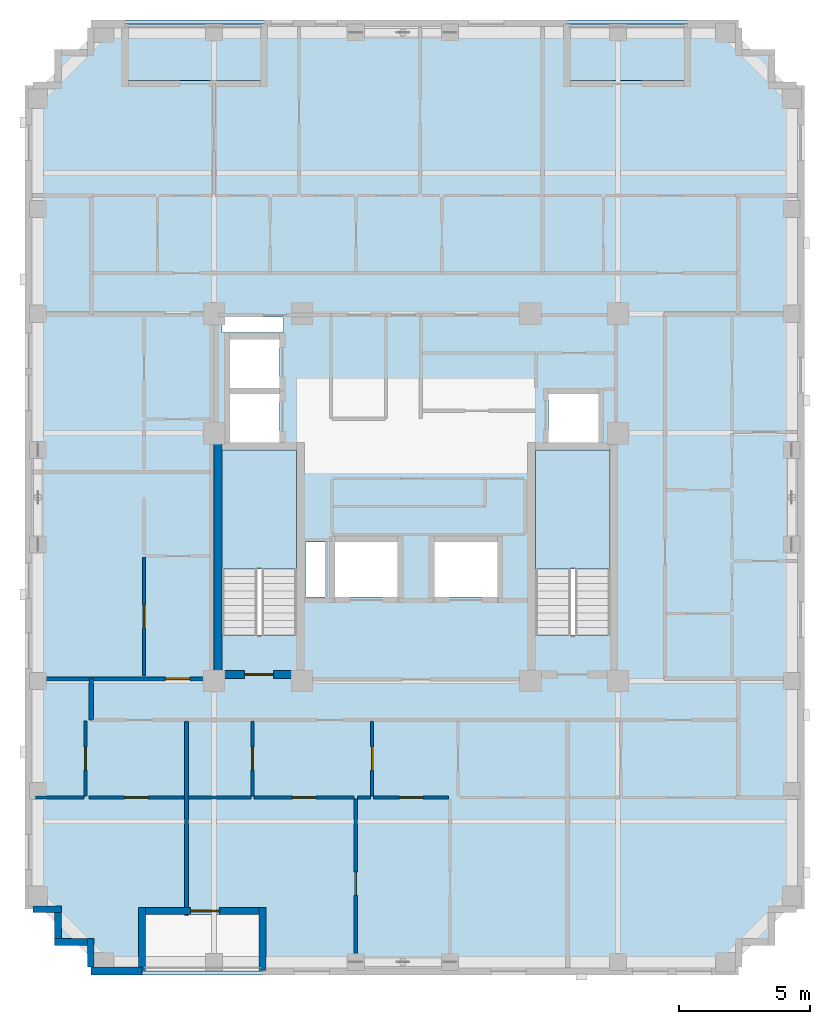
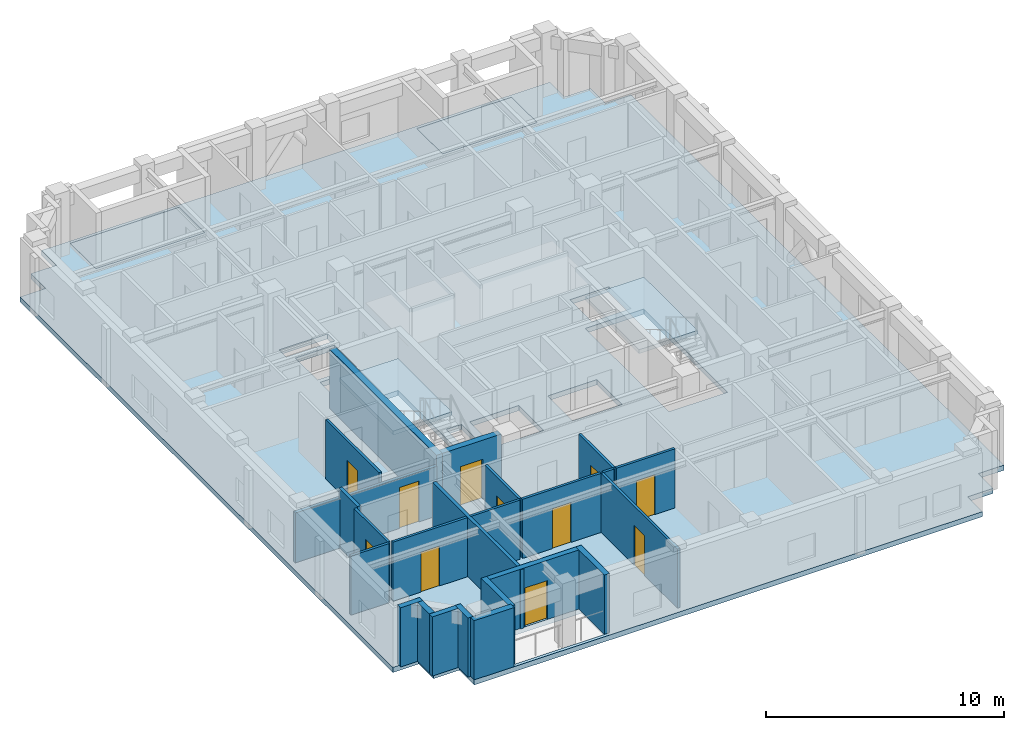
# One storey, part 2 of 10: 24 walls, 11 doors, 5 slabs, 11 openings, 2 elements without a shape of their own.
"""IFC4 building model written with IfcOpenShell, lengths in metres."""

from ifc_helpers import new_model, si_unit, derived_unit, direction, frame, frame_2d, origin, place, context, subcontext, project, spatial, polyline, rectangle, outline, extrude, material, layer, layer_set, type_object, element, fill, aggregate, save


model = new_model("IFC4")

# Units and contexts
model_context = context("Model", 3, precision=1e-05, world=origin(), true_north=direction((0.0, 1.0)))
body_context = subcontext(model_context, "Body", "Model", "MODEL_VIEW")
ifc_project = project(units=[si_unit("LENGTHUNIT", "METRE"), si_unit("AREAUNIT", "SQUARE_METRE"), si_unit("VOLUMEUNIT", "CUBIC_METRE"), si_unit("PLANEANGLEUNIT", "RADIAN"), si_unit("MASSUNIT", "GRAM", prefix="KILO"), derived_unit("THERMALTRANSMITTANCEUNIT", [(si_unit("MASSUNIT", "GRAM", prefix="KILO"), 1), (si_unit("TIMEUNIT", "SECOND"), -3), (si_unit("THERMODYNAMICTEMPERATUREUNIT", "KELVIN"), -1)])], contexts=[model_context])

# Site, building, storey
site_placement = place(None, origin())
site = spatial("IfcSite", under=ifc_project, at=site_placement, CompositionType="ELEMENT")
building_placement = place(site_placement, origin())
building = spatial("IfcBuilding", under=site, at=building_placement, Name="Korrvale Station Residences", CompositionType="ELEMENT")
storey_placement = place(building_placement, frame((0.0, 0.0, 200.800048828125)))
storey = spatial("IfcBuildingStorey", under=building, at=storey_placement, Name="L58", CompositionType="ELEMENT", Elevation=200.800048828125)

# Slabs
ifc_material_1 = material(Name="Concrete C50/60", Category="concrete")
ifc_layer_1 = layer(ifc_material_1, 0.219970703125, Name="Concrete C50/60")
ifc_layer_set_1 = layer_set([ifc_layer_1], Name="Concrete C50/60")
slab_type_1 = type_object("IfcSlabType", Name="SLB-BAL-220", PredefinedType="FLOOR", material=ifc_layer_set_1)
slab_1_placement = place(storey_placement, frame((0.0, 0.0, -0.219970703125)))
element("IfcSlab", 1, at=slab_1_placement, inside=storey, type_object=slab_type_1, Name="L58 Recessed Loggia Balcony Slab BAL-L58-N1", PredefinedType="FLOOR", context=body_context, shape_type="SweptSolid", body=[
    extrude(outline(polyline([(31.25, 37.89990234375), (35.85009765625, 37.89990234375), (35.85009765625, 40.050048828125), (31.25, 40.050048828125), (31.25, 37.89990234375)])), origin(), (0.0, 0.0, 1.0), 0.219970703125),
])
slab_2_placement = place(storey_placement, frame((0.0, 0.0, -0.219970703125)))
element("IfcSlab", 2, at=slab_2_placement, inside=storey, type_object=slab_type_1, Name="L58 Recessed Loggia Balcony Slab BAL-L58-N2", PredefinedType="FLOOR", context=body_context, shape_type="SweptSolid", body=[
    extrude(outline(polyline([(14.39990234375, 37.89990234375), (19.699951171875, 37.89990234375), (19.699951171875, 40.050048828125), (14.39990234375, 40.050048828125), (14.39990234375, 37.89990234375)])), origin(), (0.0, 0.0, 1.0), 0.219970703125),
])
ifc_layer_2 = layer(ifc_material_1, 0.260009765625, Name="Concrete C50/60")
ifc_layer_set_2 = layer_set([ifc_layer_2], Name="Concrete C50/60")
slab_type_2 = type_object("IfcSlabType", Name="SLB-FLR-260", PredefinedType="FLOOR", material=ifc_layer_set_2)
slab_3_placement = place(storey_placement, frame((0.0, 0.0, -0.260009765625)))
element("IfcSlab", 3, at=slab_3_placement, inside=storey, type_object=slab_type_2, Name="L58 Suspended Structural Floor Slab", PredefinedType="FLOOR", context=body_context, shape_type="SweptSolid", body=[
    extrude(outline(polyline([(13.10009765625, 3.800048828125), (37.800048828125, 3.800048828125), (37.800048828125, 5.050048828125), (39.050048828125, 5.050048828125), (39.050048828125, 6.300048828125), (40.300048828125, 6.300048828125), (40.300048828125, 37.699951171875), (39.050048828125, 37.699951171875), (39.050048828125, 38.949951171875), (37.800048828125, 38.949951171875), (37.800048828125, 40.199951171875), (13.10009765625, 40.199951171875), (13.10009765625, 38.949951171875), (11.85009765625, 38.949951171875), (11.85009765625, 37.699951171875), (10.60009765625, 37.699951171875), (10.60009765625, 6.300048828125), (11.85009765625, 6.300048828125), (11.85009765625, 5.050048828125), (13.10009765625, 5.050048828125), (13.10009765625, 3.800048828125)]), holes=[polyline([(20.949951171875, 16.751953125), (20.949951171875, 23.800048828125), (18.10009765625, 23.800048828125), (18.10009765625, 16.751953125), (20.949951171875, 16.751953125)]), polyline([(32.89990234375, 16.751953125), (32.89990234375, 23.800048828125), (30.050048828125, 23.800048828125), (30.050048828125, 16.751953125), (32.89990234375, 16.751953125)]), polyline([(18.39990234375, 24.10009765625), (20.300048828125, 24.10009765625), (20.300048828125, 25.949951171875), (18.39990234375, 25.949951171875), (18.39990234375, 24.10009765625)]), polyline([(18.39990234375, 26.169921875), (20.300048828125, 26.169921875), (20.300048828125, 28.02001953125), (18.39990234375, 28.02001953125), (18.39990234375, 26.169921875)]), polyline([(30.550048828125, 24.10009765625), (32.449951171875, 24.10009765625), (32.449951171875, 25.949951171875), (30.550048828125, 25.949951171875), (30.550048828125, 24.10009765625)]), polyline([(22.39990234375, 18.199951171875), (24.800048828125, 18.199951171875), (24.800048828125, 20.300048828125), (22.39990234375, 20.300048828125), (22.39990234375, 18.199951171875)]), polyline([(26.199951171875, 18.199951171875), (28.60009765625, 18.199951171875), (28.60009765625, 20.300048828125), (26.199951171875, 20.300048828125), (26.199951171875, 18.199951171875)]), polyline([(18.10009765625, 28.280029296875), (20.449951171875, 28.280029296875), (20.449951171875, 28.8798828125), (18.10009765625, 28.8798828125), (18.10009765625, 28.280029296875)]), polyline([(21.280029296875, 18.199951171875), (22.02001953125, 18.199951171875), (22.02001953125, 20.300048828125), (21.280029296875, 20.300048828125), (21.280029296875, 18.199951171875)]), polyline([(15.050048828125, 3.949951171875), (19.64990234375, 3.949951171875), (19.64990234375, 6.10009765625), (15.050048828125, 6.10009765625), (15.050048828125, 3.949951171875)]), polyline([(31.25, 37.89990234375), (35.85009765625, 37.89990234375), (35.85009765625, 40.050048828125), (31.25, 40.050048828125), (31.25, 37.89990234375)]), polyline([(14.39990234375, 37.89990234375), (19.699951171875, 37.89990234375), (19.699951171875, 40.050048828125), (14.39990234375, 40.050048828125), (14.39990234375, 37.89990234375)])]), origin(), (0.0, 0.0, 1.0), 0.260009765625),
])

# Stair, slab
stair_type = type_object("IfcStairType", Name="STR-DL-1350-20R-1650", PredefinedType="HALF_TURN_STAIR", material=ifc_material_1)
stair_1_placement = place(storey_placement, origin())
stair_1 = element("IfcStair", 4, at=stair_1_placement, inside=storey, type_object=stair_type, Name="L58 Exit Stair 1", PredefinedType="HALF_TURN_STAIR")
ifc_layer_3 = layer(ifc_material_1, 0.199951171875, Name="Concrete C50/60")
ifc_layer_set_3 = layer_set([ifc_layer_3], Name="Concrete C50/60")
slab_type_3 = type_object("IfcSlabType", Name="SLB-LND-200", PredefinedType="LANDING", material=ifc_layer_set_3)
slab_4_placement = place(storey_placement, frame((0.0, 0.0, 1.449951171875)))
slab_4 = element("IfcSlab", 5, at=slab_4_placement, type_object=slab_type_3, Name="ST-1 landing 1", PredefinedType="LANDING", context=body_context, shape_type="SweptSolid", body=[
    extrude(outline(polyline([(20.949951171875, 19.27001953125), (20.949951171875, 23.800048828125), (18.10009765625, 23.800048828125), (18.10009765625, 19.27001953125), (20.949951171875, 19.27001953125)])), origin(), (0.0, 0.0, 1.0), 0.199951171875),
])
aggregate(stair_1, [slab_4])

stair_2_placement = place(storey_placement, origin())
stair_2 = element("IfcStair", 6, at=stair_2_placement, inside=storey, type_object=stair_type, Name="L58 Exit Stair 2", PredefinedType="HALF_TURN_STAIR")
slab_5_placement = place(storey_placement, frame((0.0, 0.0, 1.449951171875)))
slab_5 = element("IfcSlab", 7, at=slab_5_placement, type_object=slab_type_3, Name="ST-2 landing 1", PredefinedType="LANDING", context=body_context, shape_type="SweptSolid", body=[
    extrude(outline(polyline([(32.89990234375, 19.27001953125), (32.89990234375, 23.800048828125), (30.050048828125, 23.800048828125), (30.050048828125, 19.27001953125), (32.89990234375, 19.27001953125)])), origin(), (0.0, 0.0, 1.0), 0.199951171875),
])
aggregate(stair_2, [slab_5])

# Wall
ifc_layer_4 = layer(ifc_material_1, 0.300048828125, Name="Concrete C50/60")
ifc_layer_set_4 = layer_set([ifc_layer_4], Name="Concrete C50/60")
wall_type_1 = type_object("IfcWallType", Name="WAL-CORE-300-C50", PredefinedType="SHEAR", material=ifc_layer_set_4)
wall_1_placement = place(storey_placement, frame((17.949951171875, 15.10009765625, 0.0), z_axis=(0.0, 0.0, 1.0), x_axis=(0.0, 1.0, 0.0)))
element("IfcWall", 8, at=wall_1_placement, inside=storey, type_object=wall_type_1, Name="L58 ST-1 Core Shear Wall West", PredefinedType="SHEAR", context=body_context, shape_type="SweptSolid", body=[
    extrude(rectangle(XDim=9.0, YDim=0.300048828125, at=frame_2d((4.5, 0.0))), origin(), (0.0, 0.0, 1.0), 3.0400390625),
])

# Wall, opening, door
wall_2_placement = place(storey_placement, frame((18.10009765625, 15.25, 0.0), z_axis=(0.0, 0.0, 1.0), x_axis=(1.0, 0.0, 0.0)))
wall_2 = element("IfcWall", 9, at=wall_2_placement, inside=storey, type_object=wall_type_1, Name="L58 ST-1 Core Shear Wall South", PredefinedType="SHEAR", context=body_context, shape_type="SweptSolid", body=[
    extrude(rectangle(XDim=2.849853515625, YDim=0.300048828125, at=frame_2d((1.4248046875, 0.0))), origin(), (0.0, 0.0, 1.0), 3.0400390625),
])
opening_1_placement = place(wall_2_placement, frame((0.860107421875, 0.0, 0.0)))
opening_1 = element("IfcOpeningElement", 10, at=opening_1_placement, cuts=wall_2, Name="Opening SD-1100", PredefinedType="OPENING", context=body_context, shape_type="SweptSolid", body=[
    extrude(rectangle(XDim=1.10009765625, YDim=2.050048828125, at=frame_2d((0.550048828125, 1.02490234375))), frame((0.0, 0.16015625, 0.0), z_axis=(0.0, -1.0, 0.0), x_axis=(1.0, 0.0, 0.0)), (0.0, 0.0, 1.0), 0.320068359375),
])
ifc_material_2 = material(Name="Hollow-metal fire-rated stair door with closer", Category="steel")
door_type_1 = type_object("IfcDoorType", Name="DR-STAIR-1100", OperationType="NOTDEFINED", PredefinedType="DOOR", material=ifc_material_2)
door_1_placement = place(opening_1_placement, origin())
door_1 = element("IfcDoor", 11, at=door_1_placement, inside=storey, type_object=door_type_1, Name="L58 ST-1 Exit Stair Door", OperationType="SINGLE_SWING_LEFT", OverallHeight=2.050048828125, OverallWidth=1.10009765625, PredefinedType="DOOR", context=body_context, shape_type="SweptSolid", body=[
    extrude(rectangle(XDim=1.10009765625, YDim=2.050048828125, at=frame_2d((0.550048828125, 1.02490234375))), frame((0.0, 0.02490234375, 0.0), z_axis=(0.0, -1.0, 0.0), x_axis=(1.0, 0.0, 0.0)), (0.0, 0.0, 1.0), 0.050048828125),
])
fill(opening_1, door_1)

# Wall
ifc_material_3 = material(Name="Precast concrete C45/55", Category="concrete")
ifc_layer_5 = layer(ifc_material_3, 0.260009765625, Name="Precast concrete C45/55")
ifc_layer_set_5 = layer_set([ifc_layer_5], Name="Precast concrete C45/55")
wall_type_2 = type_object("IfcWallType", Name="WAL-EXT-LOG260", PredefinedType="SOLIDWALL", material=ifc_layer_set_5)
wall_3_placement = place(storey_placement, frame((19.64990234375, 3.9599609375, 0.0), z_axis=(0.0, 0.0, 1.0), x_axis=(0.0, 1.0, 0.0)))
element("IfcWall", 12, at=wall_3_placement, inside=storey, type_object=wall_type_2, Name="L58 Recessed Loggia Wall BAL-L58-S1-L", PredefinedType="SOLIDWALL", context=body_context, shape_type="SweptSolid", body=[
    extrude(rectangle(XDim=2.400146484375, YDim=0.260009765625, at=frame_2d((1.2001953125, 0.0))), origin(), (0.0, 0.0, 1.0), 3.0400390625),
])

# Wall, opening, door
wall_4_placement = place(storey_placement, frame((19.51611328125, 6.22998046875, 0.0), z_axis=(0.0, 0.0, 1.0), x_axis=(-1.0, 0.0, 0.0)))
wall_4 = element("IfcWall", 13, at=wall_4_placement, inside=storey, type_object=wall_type_2, Name="L58 Recessed Loggia Wall BAL-L58-S1-B", PredefinedType="SOLIDWALL", context=body_context, shape_type="SweptSolid", body=[
    extrude(rectangle(XDim=4.33203125, YDim=0.260009765625, at=frame_2d((2.166015625, 0.0))), origin(), (0.0, 0.0, 1.0), 3.0400390625),
])
opening_2_placement = place(wall_4_placement, frame((1.510009765625, 0.0, 0.0)))
opening_2 = element("IfcOpeningElement", 14, at=opening_2_placement, cuts=wall_4, Name="Opening BD-01", PredefinedType="OPENING", context=body_context, shape_type="SweptSolid", body=[
    extrude(rectangle(XDim=1.10009765625, YDim=2.0, at=frame_2d((0.550048828125, 1.0))), frame((0.0, 0.14013671875, 0.0), z_axis=(0.0, -1.0, 0.0), x_axis=(1.0, 0.0, 0.0)), (0.0, 0.0, 1.0), 0.280029296875),
])
ifc_material_4 = material(Name="Exterior thermally broken aluminium glazed balcony door", Category="aluminium")
door_type_2 = type_object("IfcDoorType", Name="DR-EXT-BAL", OperationType="NOTDEFINED", PredefinedType="DOOR", material=ifc_material_4)
door_2_placement = place(opening_2_placement, origin())
door_2 = element("IfcDoor", 15, at=door_2_placement, inside=storey, type_object=door_type_2, Name="L58 Loggia Balcony Door BAL-L58-S1", OperationType="SINGLE_SWING_LEFT", OverallHeight=2.0, OverallWidth=1.10009765625, PredefinedType="DOOR", context=body_context, shape_type="SweptSolid", body=[
    extrude(rectangle(XDim=1.10009765625, YDim=2.0, at=frame_2d((0.550048828125, 1.0))), frame((0.0, 0.02490234375, 0.0), z_axis=(0.0, -1.0, 0.0), x_axis=(1.0, 0.0, 0.0)), (0.0, 0.0, 1.0), 0.050048828125),
])
fill(opening_2, door_2)

# Walls
wall_5_placement = place(storey_placement, frame((15.050048828125, 6.360107421875, 0.0), z_axis=(0.0, 0.0, 1.0), x_axis=(0.0, -1.0, 0.0)))
element("IfcWall", 16, at=wall_5_placement, inside=storey, type_object=wall_type_2, Name="L58 Recessed Loggia Wall BAL-L58-S1-R", PredefinedType="SOLIDWALL", context=body_context, shape_type="SweptSolid", body=[
    extrude(rectangle(XDim=2.400146484375, YDim=0.260009765625, at=frame_2d((1.2001953125, 0.0))), origin(), (0.0, 0.0, 1.0), 3.0400390625),
])
wall_6_placement = place(storey_placement, frame((13.10009765625, 4.10205078125, 0.0), z_axis=(0.0, 0.0, 1.0), x_axis=(0.0, 1.0, 0.0)))
element("IfcWall", 17, at=wall_6_placement, inside=storey, type_object=wall_type_2, Name="L58 Serrated Corner Precast Step SW-1", PredefinedType="SOLIDWALL", context=body_context, shape_type="SweptSolid", body=[
    extrude(rectangle(XDim=1.077880859375, YDim=0.260009765625, at=frame_2d((0.5390625, 0.0))), origin(), (0.0, 0.0, 1.0), 3.0400390625),
])
wall_7_placement = place(storey_placement, frame((12.968017578125, 5.050048828125, 0.0), z_axis=(0.0, 0.0, 1.0), x_axis=(-1.0, 0.0, 0.0)))
element("IfcWall", 18, at=wall_7_placement, inside=storey, type_object=wall_type_2, Name="L58 Serrated Corner Precast Step SW-2", PredefinedType="SOLIDWALL", context=body_context, shape_type="SweptSolid", body=[
    extrude(rectangle(XDim=1.248046875, YDim=0.260009765625, at=frame_2d((0.6240234375, 0.0))), origin(), (0.0, 0.0, 1.0), 3.0400390625),
])
wall_8_placement = place(storey_placement, frame((11.85009765625, 5.181884765625, 0.0), z_axis=(0.0, 0.0, 1.0), x_axis=(0.0, 1.0, 0.0)))
element("IfcWall", 19, at=wall_8_placement, inside=storey, type_object=wall_type_2, Name="L58 Serrated Corner Precast Step SW-3", PredefinedType="SOLIDWALL", context=body_context, shape_type="SweptSolid", body=[
    extrude(rectangle(XDim=0.986083984375, YDim=0.260009765625, at=frame_2d((0.4931640625, 0.0))), origin(), (0.0, 0.0, 1.0), 3.0400390625),
])
wall_9_placement = place(storey_placement, frame((11.97998046875, 6.300048828125, 0.0), z_axis=(0.0, 0.0, 1.0), x_axis=(-1.0, 0.0, 0.0)))
element("IfcWall", 20, at=wall_9_placement, inside=storey, type_object=wall_type_2, Name="L58 Serrated Corner Precast Step SW-4", PredefinedType="SOLIDWALL", context=body_context, shape_type="SweptSolid", body=[
    extrude(rectangle(XDim=1.077880859375, YDim=0.260009765625, at=frame_2d((0.5390625, 0.0))), origin(), (0.0, 0.0, 1.0), 3.0400390625),
])
ifc_layer_6 = layer(ifc_material_3, 0.300048828125, Name="Precast concrete C45/55")
ifc_layer_set_6 = layer_set([ifc_layer_6], Name="Precast concrete C45/55")
wall_type_3 = type_object("IfcWallType", Name="WAL-EXT-PC300", PredefinedType="SOLIDWALL", material=ifc_layer_set_6)
wall_10_placement = place(storey_placement, frame((15.050048828125, 3.949951171875, 0.0), z_axis=(0.0, 0.0, 1.0), x_axis=(-1.0, 0.0, 0.0)))
element("IfcWall", 21, at=wall_10_placement, inside=storey, type_object=wall_type_3, Name="L58 South Exterior Precast Wall 2", PredefinedType="SOLIDWALL", context=body_context, shape_type="SweptSolid", body=[
    extrude(rectangle(XDim=1.949951171875, YDim=0.300048828125, at=frame_2d((0.97509765625, 0.0))), origin(), (0.0, 0.0, 1.0), 3.0400390625),
])

# Wall, opening, door
ifc_material_5 = material(Name="Acoustic steel-stud gypsum board partition", Category="steel")
ifc_layer_7 = layer(ifc_material_5, 0.1201171875, Name="Acoustic steel-stud gypsum board partition")
ifc_layer_set_7 = layer_set([ifc_layer_7], Name="Acoustic steel-stud gypsum board partition")
wall_type_4 = type_object("IfcWallType", Name="WAL-PART-125", PredefinedType="PARTITIONING", material=ifc_layer_set_7)
wall_11_placement = place(storey_placement, frame((12.89990234375, 10.6201171875, 0.0), z_axis=(0.0, 0.0, 1.0), x_axis=(0.0, 1.0, 0.0)))
wall_11 = element("IfcWall", 22, at=wall_11_placement, inside=storey, type_object=wall_type_4, Name="L58 Suite Partition U01-V01", PredefinedType="PARTITIONING", context=body_context, shape_type="SweptSolid", body=[
    extrude(rectangle(XDim=2.849853515625, YDim=0.1201171875, at=frame_2d((1.4248046875, 0.0))), origin(), (0.0, 0.0, 1.0), 3.0400390625),
])
opening_3_placement = place(wall_11_placement, frame((0.9951171875, 0.0, 0.0)))
opening_3 = element("IfcOpeningElement", 23, at=opening_3_placement, cuts=wall_11, Name="Opening DB-860", PredefinedType="OPENING", context=body_context, shape_type="SweptSolid", body=[
    extrude(rectangle(XDim=0.860107421875, YDim=2.050048828125, at=frame_2d((0.43017578125, 1.02490234375))), frame((0.0, 0.070068359375, 0.0), z_axis=(0.0, -1.0, 0.0), x_axis=(1.0, 0.0, 0.0)), (0.0, 0.0, 1.0), 0.14013671875),
])
ifc_material_6 = material(Name="Moisture-resistant solid-core bathroom door", Category="timber")
door_type_3 = type_object("IfcDoorType", Name="DR-BATH-860", OperationType="NOTDEFINED", PredefinedType="DOOR", material=ifc_material_6)
door_3_placement = place(opening_3_placement, origin())
door_3 = element("IfcDoor", 24, at=door_3_placement, inside=storey, type_object=door_type_3, Name="L58 Studio Apartment L58-U01 Bathroom Door", OperationType="SINGLE_SWING_LEFT", OverallHeight=2.050048828125, OverallWidth=0.860107421875, PredefinedType="DOOR", context=body_context, shape_type="SweptSolid", body=[
    extrude(rectangle(XDim=0.860107421875, YDim=2.050048828125, at=frame_2d((0.43017578125, 1.02490234375))), frame((0.0, 0.02490234375, 0.0), z_axis=(0.0, -1.0, 0.0), x_axis=(1.0, 0.0, 0.0)), (0.0, 0.0, 1.0), 0.050048828125),
])
fill(opening_3, door_3)

# Wall
wall_12_placement = place(storey_placement, frame((10.989990234375, 10.56005859375, 0.0), z_axis=(0.0, 0.0, 1.0), x_axis=(1.0, 0.0, 0.0)))
element("IfcWall", 25, at=wall_12_placement, inside=storey, type_object=wall_type_4, Name="L58 Suite Partition U01-H02", PredefinedType="PARTITIONING", context=body_context, shape_type="SweptSolid", body=[
    extrude(rectangle(XDim=1.85009765625, YDim=0.1201171875, at=frame_2d((0.925048828125, 0.0))), origin(), (0.0, 0.0, 1.0), 3.0400390625),
])

# Wall, opening, door
wall_13_placement = place(storey_placement, frame((13.030029296875, 10.56005859375, 0.0), z_axis=(0.0, 0.0, 1.0), x_axis=(1.0, 0.0, 0.0)))
wall_13 = element("IfcWall", 26, at=wall_13_placement, inside=storey, type_object=wall_type_4, Name="L58 Suite Partition U01-H12", PredefinedType="PARTITIONING", context=body_context, shape_type="SweptSolid", body=[
    extrude(rectangle(XDim=3.615966796875, YDim=0.1201171875, at=frame_2d((1.80810546875, 0.0))), origin(), (0.0, 0.0, 1.0), 3.0400390625),
])
opening_4_placement = place(wall_13_placement, frame((1.35791015625, 0.0, 0.0)))
opening_4 = element("IfcOpeningElement", 27, at=opening_4_placement, cuts=wall_13, Name="Opening DI-900", PredefinedType="OPENING", context=body_context, shape_type="SweptSolid", body=[
    extrude(rectangle(XDim=0.89990234375, YDim=2.050048828125, at=frame_2d((0.449951171875, 1.02490234375))), frame((0.0, 0.070068359375, 0.0), z_axis=(0.0, -1.0, 0.0), x_axis=(1.0, 0.0, 0.0)), (0.0, 0.0, 1.0), 0.14013671875),
])
ifc_material_7 = material(Name="Painted solid-core timber interior room door", Category="wood")
door_type_4 = type_object("IfcDoorType", Name="DR-INT-900", OperationType="NOTDEFINED", PredefinedType="DOOR", material=ifc_material_7)
door_4_placement = place(opening_4_placement, origin())
door_4 = element("IfcDoor", 28, at=door_4_placement, inside=storey, type_object=door_type_4, Name="L58 Studio Apartment L58-U01 Kitchen Door", OperationType="SINGLE_SWING_RIGHT", OverallHeight=2.050048828125, OverallWidth=0.89990234375, PredefinedType="DOOR", context=body_context, shape_type="SweptSolid", body=[
    extrude(rectangle(XDim=0.89990234375, YDim=2.050048828125, at=frame_2d((0.449951171875, 1.02490234375))), frame((0.0, 0.02490234375, 0.0), z_axis=(0.0, -1.0, 0.0), x_axis=(1.0, 0.0, 0.0)), (0.0, 0.0, 1.0), 0.050048828125),
])
fill(opening_4, door_4)

wall_14_placement = place(storey_placement, frame((19.26611328125, 10.6201171875, 0.0), z_axis=(0.0, 0.0, 1.0), x_axis=(0.0, 1.0, 0.0)))
wall_14 = element("IfcWall", 29, at=wall_14_placement, inside=storey, type_object=wall_type_4, Name="L58 Suite Partition U02-V01", PredefinedType="PARTITIONING", context=body_context, shape_type="SweptSolid", body=[
    extrude(rectangle(XDim=2.849853515625, YDim=0.1201171875, at=frame_2d((1.4248046875, 0.0))), origin(), (0.0, 0.0, 1.0), 3.0400390625),
])
opening_5_placement = place(wall_14_placement, frame((0.9951171875, 0.0, 0.0)))
opening_5 = element("IfcOpeningElement", 30, at=opening_5_placement, cuts=wall_14, Name="Opening DB-860", PredefinedType="OPENING", context=body_context, shape_type="SweptSolid", body=[
    extrude(rectangle(XDim=0.860107421875, YDim=2.050048828125, at=frame_2d((0.43017578125, 1.02490234375))), frame((0.0, 0.070068359375, 0.0), z_axis=(0.0, -1.0, 0.0), x_axis=(1.0, 0.0, 0.0)), (0.0, 0.0, 1.0), 0.14013671875),
])
door_5_placement = place(opening_5_placement, origin())
door_5 = element("IfcDoor", 31, at=door_5_placement, inside=storey, type_object=door_type_3, Name="L58 Apartment 1BR L58-U02 Bathroom Door", OperationType="SINGLE_SWING_LEFT", OverallHeight=2.050048828125, OverallWidth=0.860107421875, PredefinedType="DOOR", context=body_context, shape_type="SweptSolid", body=[
    extrude(rectangle(XDim=0.860107421875, YDim=2.050048828125, at=frame_2d((0.43017578125, 1.02490234375))), frame((0.0, 0.02490234375, 0.0), z_axis=(0.0, -1.0, 0.0), x_axis=(1.0, 0.0, 0.0)), (0.0, 0.0, 1.0), 0.050048828125),
])
fill(opening_5, door_5)

# Wall
wall_15_placement = place(storey_placement, frame((16.805908203125, 10.56005859375, 0.0), z_axis=(0.0, 0.0, 1.0), x_axis=(1.0, 0.0, 0.0)))
element("IfcWall", 32, at=wall_15_placement, inside=storey, type_object=wall_type_4, Name="L58 Suite Partition U02-H04", PredefinedType="PARTITIONING", context=body_context, shape_type="SweptSolid", body=[
    extrude(rectangle(XDim=2.400146484375, YDim=0.1201171875, at=frame_2d((1.2001953125, 0.0))), origin(), (0.0, 0.0, 1.0), 3.0400390625),
])

# Wall, opening, door
wall_16_placement = place(storey_placement, frame((23.825927734375, 10.6201171875, 0.0), z_axis=(0.0, 0.0, 1.0), x_axis=(0.0, 1.0, 0.0)))
wall_16 = element("IfcWall", 33, at=wall_16_placement, inside=storey, type_object=wall_type_4, Name="L58 Suite Partition U02-V12", PredefinedType="PARTITIONING", context=body_context, shape_type="SweptSolid", body=[
    extrude(rectangle(XDim=2.849853515625, YDim=0.1201171875, at=frame_2d((1.4248046875, 0.0))), origin(), (0.0, 0.0, 1.0), 3.0400390625),
])
opening_6_placement = place(wall_16_placement, frame((0.97509765625, 0.0, 0.0)))
opening_6 = element("IfcOpeningElement", 34, at=opening_6_placement, cuts=wall_16, Name="Opening DI-900", PredefinedType="OPENING", context=body_context, shape_type="SweptSolid", body=[
    extrude(rectangle(XDim=0.89990234375, YDim=2.050048828125, at=frame_2d((0.449951171875, 1.02490234375))), frame((0.0, 0.070068359375, 0.0), z_axis=(0.0, -1.0, 0.0), x_axis=(1.0, 0.0, 0.0)), (0.0, 0.0, 1.0), 0.14013671875),
])
door_6_placement = place(opening_6_placement, origin())
door_6 = element("IfcDoor", 35, at=door_6_placement, inside=storey, type_object=door_type_4, Name="L58 Apartment 1BR L58-U02 Kitchen Door", OperationType="SINGLE_SWING_RIGHT", OverallHeight=2.050048828125, OverallWidth=0.89990234375, PredefinedType="DOOR", context=body_context, shape_type="SweptSolid", body=[
    extrude(rectangle(XDim=0.89990234375, YDim=2.050048828125, at=frame_2d((0.449951171875, 1.02490234375))), frame((0.0, 0.02490234375, 0.0), z_axis=(0.0, -1.0, 0.0), x_axis=(1.0, 0.0, 0.0)), (0.0, 0.0, 1.0), 0.050048828125),
])
fill(opening_6, door_6)

wall_17_placement = place(storey_placement, frame((19.325927734375, 10.56005859375, 0.0), z_axis=(0.0, 0.0, 1.0), x_axis=(1.0, 0.0, 0.0)))
wall_17 = element("IfcWall", 36, at=wall_17_placement, inside=storey, type_object=wall_type_4, Name="L58 Suite Partition U02-H14", PredefinedType="PARTITIONING", context=body_context, shape_type="SweptSolid", body=[
    extrude(rectangle(XDim=3.81396484375, YDim=0.1201171875, at=frame_2d((1.906982421875, 0.0))), origin(), (0.0, 0.0, 1.0), 3.0400390625),
])
opening_7_placement = place(wall_17_placement, frame((1.45703125, 0.0, 0.0)))
opening_7 = element("IfcOpeningElement", 37, at=opening_7_placement, cuts=wall_17, Name="Opening DI-900", PredefinedType="OPENING", context=body_context, shape_type="SweptSolid", body=[
    extrude(rectangle(XDim=0.89990234375, YDim=2.050048828125, at=frame_2d((0.449951171875, 1.02490234375))), frame((0.0, 0.070068359375, 0.0), z_axis=(0.0, -1.0, 0.0), x_axis=(1.0, 0.0, 0.0)), (0.0, 0.0, 1.0), 0.14013671875),
])
door_7_placement = place(opening_7_placement, origin())
door_7 = element("IfcDoor", 38, at=door_7_placement, inside=storey, type_object=door_type_4, Name="L58 Apartment 1BR L58-U02 Kitchen Door", OperationType="SINGLE_SWING_LEFT", OverallHeight=2.050048828125, OverallWidth=0.89990234375, PredefinedType="DOOR", context=body_context, shape_type="SweptSolid", body=[
    extrude(rectangle(XDim=0.89990234375, YDim=2.050048828125, at=frame_2d((0.449951171875, 1.02490234375))), frame((0.0, 0.02490234375, 0.0), z_axis=(0.0, -1.0, 0.0), x_axis=(1.0, 0.0, 0.0)), (0.0, 0.0, 1.0), 0.050048828125),
])
fill(opening_7, door_7)

# Wall
wall_18_placement = place(storey_placement, frame((23.260009765625, 10.56005859375, 0.0), z_axis=(0.0, 0.0, 1.0), x_axis=(1.0, 0.0, 0.0)))
element("IfcWall", 39, at=wall_18_placement, inside=storey, type_object=wall_type_4, Name="L58 Suite Partition U02-H15", PredefinedType="PARTITIONING", context=body_context, shape_type="SweptSolid", body=[
    extrude(rectangle(XDim=0.506103515625, YDim=0.1201171875, at=frame_2d((0.2529296875, 0.0))), origin(), (0.0, 0.0, 1.0), 3.0400390625),
])

# Wall, opening, door
wall_19_placement = place(storey_placement, frame((23.885986328125, 10.56005859375, 0.0), z_axis=(0.0, 0.0, 1.0), x_axis=(1.0, 0.0, 0.0)))
wall_19 = element("IfcWall", 40, at=wall_19_placement, inside=storey, type_object=wall_type_4, Name="L58 Suite Partition U02-H25", PredefinedType="PARTITIONING", context=body_context, shape_type="SweptSolid", body=[
    extrude(rectangle(XDim=2.85400390625, YDim=0.1201171875, at=frame_2d((1.427001953125, 0.0))), origin(), (0.0, 0.0, 1.0), 3.0400390625),
])
opening_8_placement = place(wall_19_placement, frame((0.97705078125, 0.0, 0.0)))
opening_8 = element("IfcOpeningElement", 41, at=opening_8_placement, cuts=wall_19, Name="Opening DI-900", PredefinedType="OPENING", context=body_context, shape_type="SweptSolid", body=[
    extrude(rectangle(XDim=0.89990234375, YDim=2.050048828125, at=frame_2d((0.449951171875, 1.02490234375))), frame((0.0, 0.070068359375, 0.0), z_axis=(0.0, -1.0, 0.0), x_axis=(1.0, 0.0, 0.0)), (0.0, 0.0, 1.0), 0.14013671875),
])
door_8_placement = place(opening_8_placement, origin())
door_8 = element("IfcDoor", 42, at=door_8_placement, inside=storey, type_object=door_type_4, Name="L58 Apartment 1BR L58-U02 Home Study Room Door", OperationType="SINGLE_SWING_LEFT", OverallHeight=2.050048828125, OverallWidth=0.89990234375, PredefinedType="DOOR", context=body_context, shape_type="SweptSolid", body=[
    extrude(rectangle(XDim=0.89990234375, YDim=2.050048828125, at=frame_2d((0.449951171875, 1.02490234375))), frame((0.0, 0.02490234375, 0.0), z_axis=(0.0, -1.0, 0.0), x_axis=(1.0, 0.0, 0.0)), (0.0, 0.0, 1.0), 0.050048828125),
])
fill(opening_8, door_8)

wall_20_placement = place(storey_placement, frame((23.199951171875, 4.080078125, 0.0), z_axis=(0.0, 0.0, 1.0), x_axis=(0.0, 1.0, 0.0)))
wall_20 = element("IfcWall", 43, at=wall_20_placement, inside=storey, type_object=wall_type_4, Name="L58 Suite Partition U02-V45", PredefinedType="PARTITIONING", context=body_context, shape_type="SweptSolid", body=[
    extrude(rectangle(XDim=6.419921875, YDim=0.1201171875, at=frame_2d((3.2099609375, 0.0))), origin(), (0.0, 0.0, 1.0), 3.0400390625),
])
opening_9_placement = place(wall_20_placement, frame((2.7451171875, 0.0, 0.0)))
opening_9 = element("IfcOpeningElement", 44, at=opening_9_placement, cuts=wall_20, Name="Opening DI-900", PredefinedType="OPENING", context=body_context, shape_type="SweptSolid", body=[
    extrude(rectangle(XDim=0.89990234375, YDim=2.050048828125, at=frame_2d((0.449951171875, 1.02490234375))), frame((0.0, 0.070068359375, 0.0), z_axis=(0.0, -1.0, 0.0), x_axis=(1.0, 0.0, 0.0)), (0.0, 0.0, 1.0), 0.14013671875),
])
door_9_placement = place(opening_9_placement, origin())
door_9 = element("IfcDoor", 45, at=door_9_placement, inside=storey, type_object=door_type_4, Name="L58 Apartment 1BR L58-U02 Living and Dining Room Door", OperationType="SINGLE_SWING_LEFT", OverallHeight=2.050048828125, OverallWidth=0.89990234375, PredefinedType="DOOR", context=body_context, shape_type="SweptSolid", body=[
    extrude(rectangle(XDim=0.89990234375, YDim=2.050048828125, at=frame_2d((0.449951171875, 1.02490234375))), frame((0.0, 0.02490234375, 0.0), z_axis=(0.0, -1.0, 0.0), x_axis=(1.0, 0.0, 0.0)), (0.0, 0.0, 1.0), 0.050048828125),
])
fill(opening_9, door_9)

wall_21_placement = place(storey_placement, frame((15.1298828125, 15.2099609375, 0.0), z_axis=(0.0, 0.0, 1.0), x_axis=(0.0, 1.0, 0.0)))
wall_21 = element("IfcWall", 46, at=wall_21_placement, inside=storey, type_object=wall_type_4, Name="L58 Suite Partition U06-V12", PredefinedType="PARTITIONING", context=body_context, shape_type="SweptSolid", body=[
    extrude(rectangle(XDim=4.5, YDim=0.1201171875, at=frame_2d((2.25, 0.0))), origin(), (0.0, 0.0, 1.0), 3.0400390625),
])
opening_10_placement = place(wall_21_placement, frame((1.800048828125, 0.0, 0.0)))
opening_10 = element("IfcOpeningElement", 47, at=opening_10_placement, cuts=wall_21, Name="Opening DI-900", PredefinedType="OPENING", context=body_context, shape_type="SweptSolid", body=[
    extrude(rectangle(XDim=0.89990234375, YDim=2.050048828125, at=frame_2d((0.449951171875, 1.02490234375))), frame((0.0, 0.070068359375, 0.0), z_axis=(0.0, -1.0, 0.0), x_axis=(1.0, 0.0, 0.0)), (0.0, 0.0, 1.0), 0.14013671875),
])
door_10_placement = place(opening_10_placement, origin())
door_10 = element("IfcDoor", 48, at=door_10_placement, inside=storey, type_object=door_type_4, Name="L58 Apartment 1BR L58-U06 Kitchen Door", OperationType="SINGLE_SWING_LEFT", OverallHeight=2.050048828125, OverallWidth=0.89990234375, PredefinedType="DOOR", context=body_context, shape_type="SweptSolid", body=[
    extrude(rectangle(XDim=0.89990234375, YDim=2.050048828125, at=frame_2d((0.449951171875, 1.02490234375))), frame((0.0, 0.02490234375, 0.0), z_axis=(0.0, -1.0, 0.0), x_axis=(1.0, 0.0, 0.0)), (0.0, 0.0, 1.0), 0.050048828125),
])
fill(opening_10, door_10)

# Walls
ifc_material_8 = material(Name="Fire-rated twin-stud gypsum and mineral wool shaftwall assembly", Category="gypsum")
ifc_layer_8 = layer(ifc_material_8, 0.159912109375, Name="Fire-rated twin-stud gypsum and mineral wool shaftwall assembly")
ifc_layer_set_8 = layer_set([ifc_layer_8], Name="Fire-rated twin-stud gypsum and mineral wool shaftwall assembly")
wall_type_5 = type_object("IfcWallType", Name="WAL-PART-200", PredefinedType="PARTITIONING", material=ifc_layer_set_8)
wall_22_placement = place(storey_placement, frame((13.1201171875, 13.510009765625, 0.0), z_axis=(0.0, 0.0, 1.0), x_axis=(0.0, 1.0, 0.0)))
element("IfcWall", 49, at=wall_22_placement, inside=storey, type_object=wall_type_5, Name="L58 Corridor South West Cap", PredefinedType="PARTITIONING", context=body_context, shape_type="SweptSolid", body=[
    extrude(rectangle(XDim=1.580078125, YDim=0.159912109375, at=frame_2d((0.7900390625, 0.0))), origin(), (0.0, 0.0, 1.0), 3.0400390625),
])
wall_23_placement = place(storey_placement, frame((16.74609375, 6.06005859375, 0.0), z_axis=(0.0, 0.0, 1.0), x_axis=(0.0, 1.0, 0.0)))
element("IfcWall", 50, at=wall_23_placement, inside=storey, type_object=wall_type_5, Name="L58 Demising Wall U02-W", PredefinedType="PARTITIONING", context=body_context, shape_type="SweptSolid", body=[
    extrude(rectangle(XDim=7.409912109375, YDim=0.159912109375, at=frame_2d((3.705078125, 0.0))), origin(), (0.0, 0.0, 1.0), 3.0400390625),
])

# Wall, opening, door
wall_24_placement = place(storey_placement, frame((10.8798828125, 15.080078125, 0.0), z_axis=(0.0, 0.0, 1.0), x_axis=(1.0, 0.0, 0.0)))
wall_24 = element("IfcWall", 51, at=wall_24_placement, inside=storey, type_object=wall_type_5, Name="L58 Side Suite South Entry Wall U06", PredefinedType="PARTITIONING", context=body_context, shape_type="SweptSolid", body=[
    extrude(rectangle(XDim=6.880126953125, YDim=0.159912109375, at=frame_2d((3.43994140625, 0.0))), origin(), (0.0, 0.0, 1.0), 2.555908203125),
])
opening_11_placement = place(wall_24_placement, frame((5.06005859375, 0.0, 0.0)))
opening_11 = element("IfcOpeningElement", 52, at=opening_11_placement, cuts=wall_24, Name="Opening UD-950", PredefinedType="OPENING", context=body_context, shape_type="SweptSolid", body=[
    extrude(rectangle(XDim=0.949951171875, YDim=2.10009765625, at=frame_2d((0.47509765625, 1.050048828125))), frame((0.0, 0.08984375, 0.0), z_axis=(0.0, -1.0, 0.0), x_axis=(1.0, 0.0, 0.0)), (0.0, 0.0, 1.0), 0.179931640625),
])
ifc_material_9 = material(Name="Solid-core acoustic oak apartment entrance door", Category="timber")
door_type_5 = type_object("IfcDoorType", Name="DR-UNIT-950", OperationType="NOTDEFINED", PredefinedType="DOOR", material=ifc_material_9)
door_11_placement = place(opening_11_placement, origin())
door_11 = element("IfcDoor", 53, at=door_11_placement, inside=storey, type_object=door_type_5, Name="L58 Apartment L58-U06 Entrance Door", OperationType="SINGLE_SWING_LEFT", OverallHeight=2.10009765625, OverallWidth=0.949951171875, PredefinedType="DOOR", context=body_context, shape_type="SweptSolid", body=[
    extrude(rectangle(XDim=0.949951171875, YDim=2.10009765625, at=frame_2d((0.47509765625, 1.050048828125))), frame((0.0, 0.02490234375, 0.0), z_axis=(0.0, -1.0, 0.0), x_axis=(1.0, 0.0, 0.0)), (0.0, 0.0, 1.0), 0.050048828125),
])
fill(opening_11, door_11)

save(model, "model.ifc")
